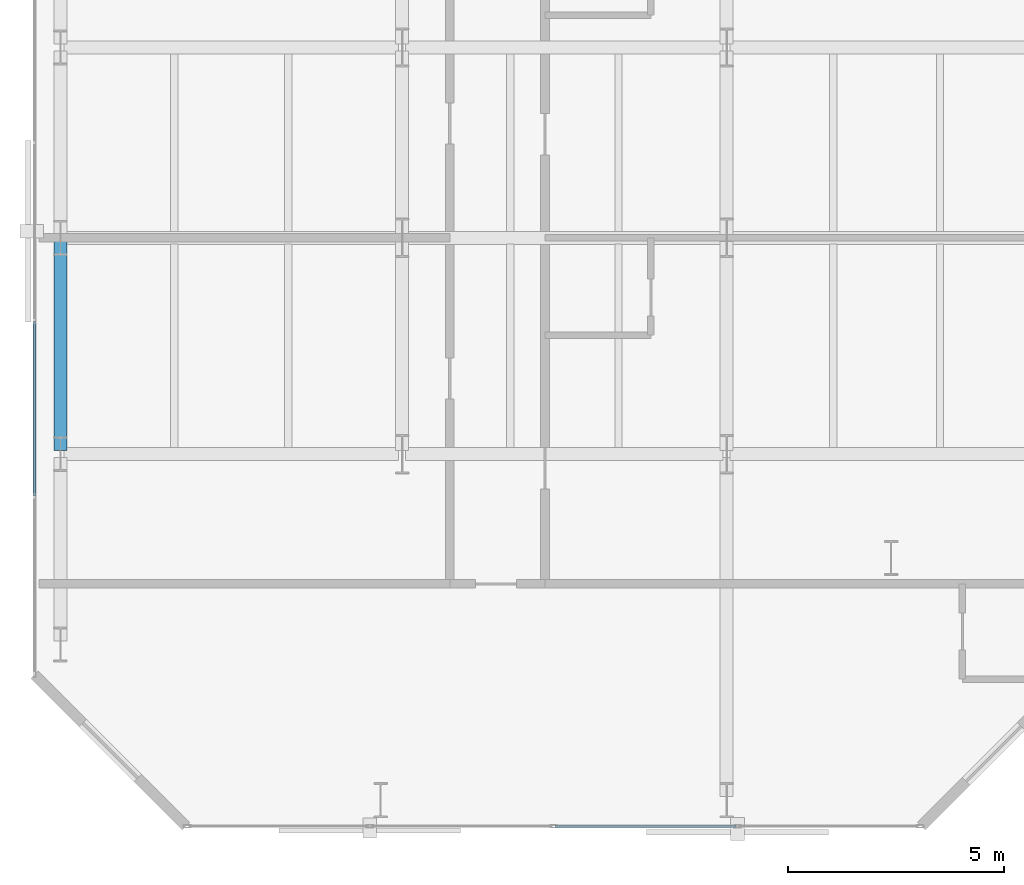
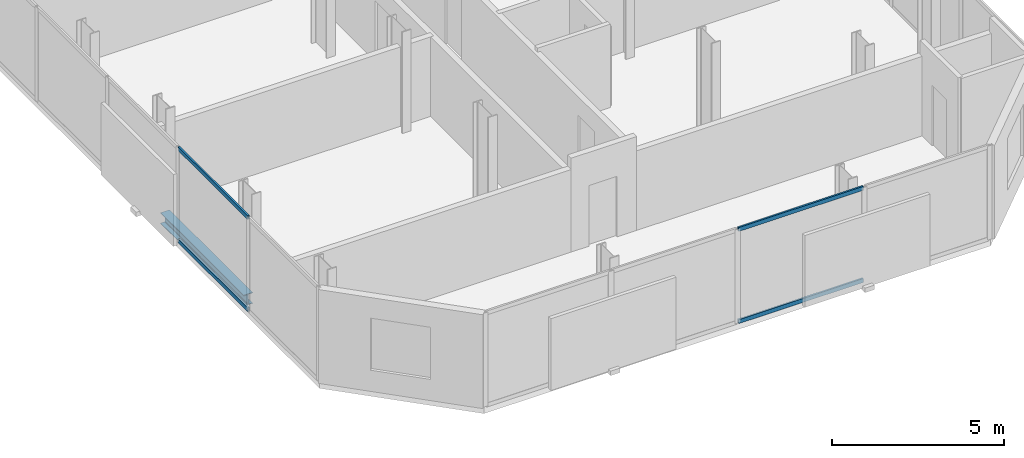
# One storey, part 4 of 33: 4 members, 1 beam, 2 elements without a shape of their own.
"""IFC4 building model written with IfcOpenShell, lengths in metres."""

from ifc_helpers import new_model, si_unit, direction, frame, origin, origin_2d, place, context, subcontext, project, spatial, hollow_rectangle, i_section, extrude, material, layer, layer_set, material_profile, profile_set, type_object, element, aggregate, save


model = new_model("IFC4")

# Units and contexts
model_context = context("Model", 3, precision=1e-05, world=origin(), true_north=direction((0.0, 1.0)))
body_context = subcontext(model_context, "Body", "Model", "MODEL_VIEW")
ifc_project = project(units=[si_unit("LENGTHUNIT", "METRE"), si_unit("AREAUNIT", "SQUARE_METRE"), si_unit("VOLUMEUNIT", "CUBIC_METRE"), si_unit("PLANEANGLEUNIT", "RADIAN"), si_unit("MASSUNIT", "GRAM", prefix="KILO")], contexts=[model_context])

# Site, building, storey
site_placement = place(None, origin())
site = spatial("IfcSite", under=ifc_project, at=site_placement, CompositionType="ELEMENT")
building_placement = place(site_placement, origin())
building = spatial("IfcBuilding", under=site, at=building_placement, Name="Catumbela Crestline Tower", CompositionType="ELEMENT")
storey_placement = place(building_placement, frame((0.0, 0.0, 58.2)))
storey = spatial("IfcBuildingStorey", under=building, at=storey_placement, Name="L14", CompositionType="ELEMENT", Elevation=58.2)

# Beam
ifc_material_1 = material(Name="Structural steel S355J2", Category="steel")
ifc_material_profile_1 = material_profile(ifc_material_1, i_section(OverallWidth=0.3, OverallDepth=0.39, WebThickness=0.011, FlangeThickness=0.019, FilletRadius=0.027, at=origin_2d()), Name="HEA 400")
ifc_profile_set_1 = profile_set([ifc_material_profile_1], Name="Structural steel S355J2")
beam_type = type_object("IfcBeamType", Name="BS-HEA400", PredefinedType="SPANDREL", material=ifc_profile_set_1)
beam_placement = place(storey_placement, frame((0.6, 8.68, -0.455), z_axis=(0.0, 1.0, 0.0), x_axis=(-1.0, 0.0, 0.0)))
element("IfcBeam", 1, at=beam_placement, inside=storey, type_object=beam_type, Name="L14 Spandrel SP-L14-WNS58", PredefinedType="SPANDREL", context=body_context, shape_type="SweptSolid", body=[
    extrude(i_section(OverallWidth=0.3, OverallDepth=0.39, WebThickness=0.011, FlangeThickness=0.019, FilletRadius=0.027, at=origin_2d()), origin(), (0.0, 0.0, 1.0), 4.84),
])

# Curtain wall, members
ifc_material_2 = material(Name="Aluminium alloy AW-6060-T66", Category="aluminium")
ifc_layer = layer(ifc_material_2, 0.18, Name="Aluminium alloy AW-6060-T66")
ifc_layer_set = layer_set([ifc_layer], Name="Aluminium alloy AW-6060-T66")
curtain_wall_type = type_object("IfcCurtainWallType", Name="CWU-Z1", PredefinedType="USERDEFINED", material=ifc_layer_set)
curtain_wall_1_placement = place(storey_placement, origin())
curtain_wall_1 = element("IfcCurtainWall", 2, at=curtain_wall_1_placement, inside=storey, type_object=curtain_wall_type, Name="L14 Unitised Curtain Wall CW-L14-E0S1", ObjectType="UNITISED", PredefinedType="USERDEFINED")
ifc_material_profile_2 = material_profile(ifc_material_2, hollow_rectangle(XDim=0.06, YDim=0.14, WallThickness=0.004, at=origin_2d()), Name="ALU 140x60x4")
ifc_profile_set_2 = profile_set([ifc_material_profile_2], Name="Aluminium alloy AW-6060-T66")
member_type = type_object("IfcMemberType", Name="TRN-140X60", PredefinedType="USERDEFINED", material=ifc_profile_set_2)
member_1_placement = place(storey_placement, frame((12.0325, 0.0, 0.03), z_axis=(1.0, 0.0, 0.0), x_axis=(0.0, 1.0, 0.0)))
member_1 = element("IfcMember", 3, at=member_1_placement, type_object=member_type, Name="CWU-Z1 transom 3.1", ObjectType="TRANSOM", PredefinedType="USERDEFINED", context=body_context, shape_type="SweptSolid", body=[
    extrude(hollow_rectangle(XDim=0.06, YDim=0.14, WallThickness=0.004, at=origin_2d()), origin(), (0.0, 0.0, 1.0), 4.185),
])
member_2_placement = place(storey_placement, frame((12.0325, 0.0, 3.3), z_axis=(1.0, 0.0, 0.0), x_axis=(0.0, 1.0, 0.0)))
member_2 = element("IfcMember", 4, at=member_2_placement, type_object=member_type, Name="CWU-Z1 transom 3.2", ObjectType="TRANSOM", PredefinedType="USERDEFINED", context=body_context, shape_type="SweptSolid", body=[
    extrude(hollow_rectangle(XDim=0.06, YDim=0.14, WallThickness=0.004, at=origin_2d()), origin(), (0.0, 0.0, 1.0), 4.185),
])
aggregate(curtain_wall_1, [member_1, member_2])

curtain_wall_2_placement = place(storey_placement, origin())
curtain_wall_2 = element("IfcCurtainWall", 5, at=curtain_wall_2_placement, inside=storey, type_object=curtain_wall_type, Name="L14 Unitised Curtain Wall CW-L14-E9S1", ObjectType="UNITISED", PredefinedType="USERDEFINED")
member_3_placement = place(storey_placement, frame((0.0, 11.6675, 0.03), z_axis=(0.0, -1.0, 0.0), x_axis=(1.0, 0.0, 0.0)))
member_3 = element("IfcMember", 6, at=member_3_placement, type_object=member_type, Name="CWU-Z1 transom 9.1", ObjectType="TRANSOM", PredefinedType="USERDEFINED", context=body_context, shape_type="SweptSolid", body=[
    extrude(hollow_rectangle(XDim=0.06, YDim=0.14, WallThickness=0.004, at=origin_2d()), origin(), (0.0, 0.0, 1.0), 4.035),
])
member_4_placement = place(storey_placement, frame((0.0, 11.6675, 3.3), z_axis=(0.0, -1.0, 0.0), x_axis=(1.0, 0.0, 0.0)))
member_4 = element("IfcMember", 7, at=member_4_placement, type_object=member_type, Name="CWU-Z1 transom 9.2", ObjectType="TRANSOM", PredefinedType="USERDEFINED", context=body_context, shape_type="SweptSolid", body=[
    extrude(hollow_rectangle(XDim=0.06, YDim=0.14, WallThickness=0.004, at=origin_2d()), origin(), (0.0, 0.0, 1.0), 4.035),
])
aggregate(curtain_wall_2, [member_3, member_4])

save(model, "model.ifc")
